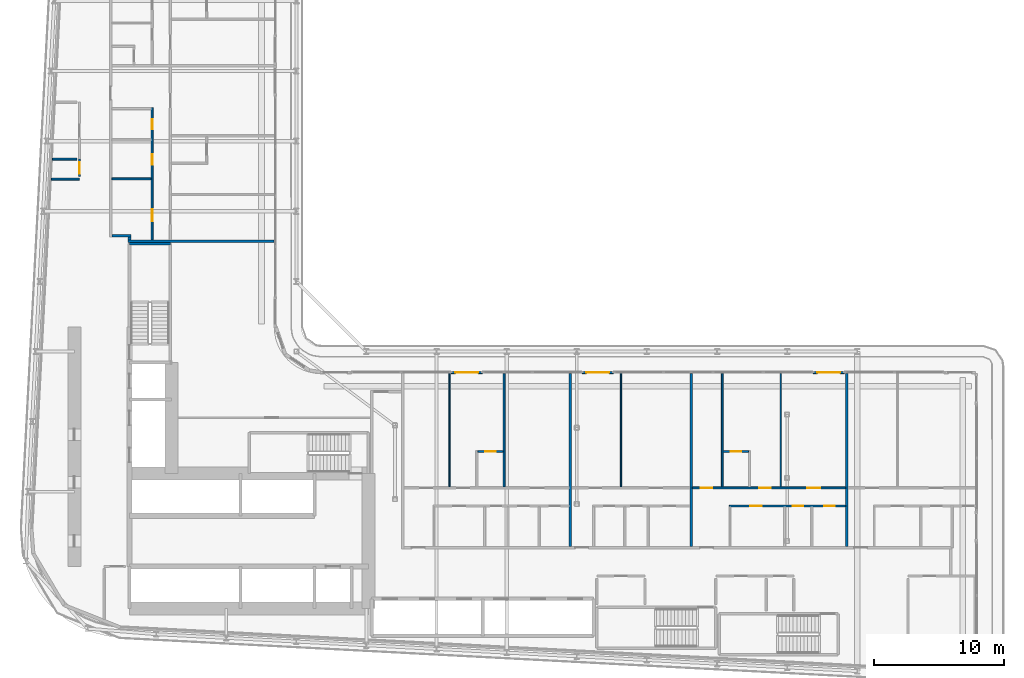
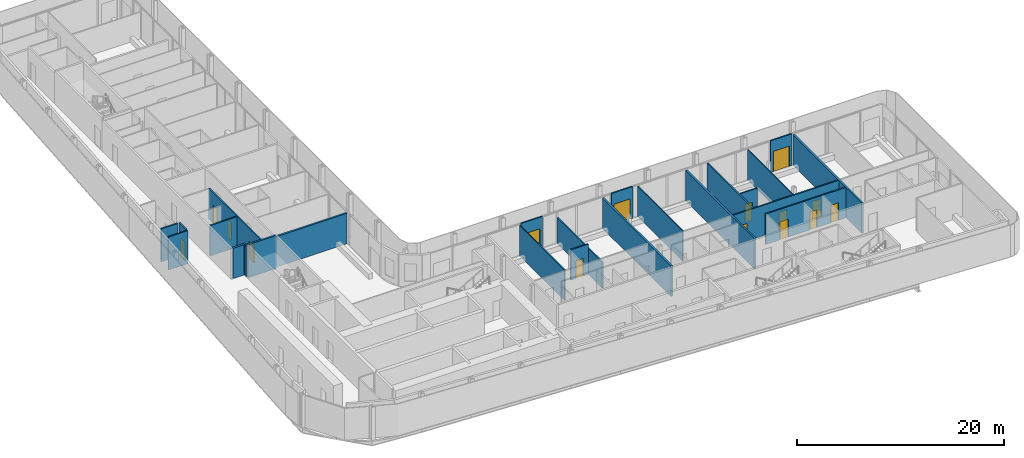
# One storey, part 15 of 27: 24 walls, 15 doors, 15 openings.
"""IFC4 building model written with IfcOpenShell, lengths in metres."""

from ifc_helpers import new_model, si_unit, direction, frame, frame_2d, origin, place, context, subcontext, project, spatial, rectangle, extrude, source, transform, mapped, material, layer, layer_set, type_object, element, fill, save


model = new_model("IFC4")

# Units and contexts
model_context = context("Model", 3, precision=1e-05, world=origin(), true_north=direction((0.0, 1.0)))
body_context = subcontext(model_context, "Body", "Model", "MODEL_VIEW")
ifc_project = project(units=[si_unit("LENGTHUNIT", "METRE"), si_unit("AREAUNIT", "SQUARE_METRE"), si_unit("VOLUMEUNIT", "CUBIC_METRE"), si_unit("PLANEANGLEUNIT", "RADIAN"), si_unit("MASSUNIT", "GRAM", prefix="KILO")], contexts=[model_context])

# Site, building, storey
site_placement = place(None, origin())
site = spatial("IfcSite", under=ifc_project, at=site_placement, CompositionType="ELEMENT")
building_placement = place(site_placement, origin())
building = spatial("IfcBuilding", under=site, at=building_placement, Name="Kheshtan School and Residences Tower", CompositionType="ELEMENT")
storey_placement = place(building_placement, frame((0.0, 0.0, 53.89990234375)))
storey = spatial("IfcBuildingStorey", under=building, at=storey_placement, Name="L12", CompositionType="ELEMENT", Elevation=53.89990234375)

# Walls
ifc_material_1 = material(Name="Gypsum board on steel studs with fire boards", Category="steel")
ifc_layer_1 = layer(ifc_material_1, 0.199951171875)
ifc_layer_set_1 = layer_set([ifc_layer_1], Name="Corridor wall 200")
wall_type_1 = type_object("IfcWallType", Name="Corridor wall 200", PredefinedType="PARTITIONING", material=ifc_layer_set_1)
wall_1_placement = place(storey_placement, frame((33.39990234375, 54.5, 0.0), z_axis=(0.0, 0.0, 1.0), x_axis=(1.0, 0.0, 0.0)))
element("IfcWall", 1, at=wall_1_placement, inside=storey, type_object=wall_type_1, Name="Partition L12-005", PredefinedType="PARTITIONING", context=body_context, shape_type="SweptSolid", body=[
    extrude(rectangle(XDim=1.4501953125, YDim=0.199951171875, at=frame_2d((0.72509765625, 0.0))), origin(), (0.0, 0.0, 1.0), 3.60009765625),
])
wall_2_placement = place(storey_placement, frame((34.75, 54.199951171875, 0.0), z_axis=(0.0, 0.0, 1.0), x_axis=(0.0, 1.0, 0.0)))
element("IfcWall", 2, at=wall_2_placement, inside=storey, type_object=wall_type_1, Name="Partition L12-019", PredefinedType="PARTITIONING", context=body_context, shape_type="SweptSolid", body=[
    extrude(rectangle(XDim=0.199951171875, YDim=0.199951171875, at=frame_2d((0.10009765625, 0.0))), origin(), (0.0, 0.0, 1.0), 3.60009765625),
])

# Wall, opening, door
ifc_material_2 = material(Name="Aluminium frame wall with insulated infill", Category="aluminium")
ifc_layer_2 = layer(ifc_material_2, 0.14990234375)
ifc_layer_set_2 = layer_set([ifc_layer_2], Name="Glazing frame wall 150")
wall_type_2 = type_object("IfcWallType", Name="Glazing frame wall 150", PredefinedType="SOLIDWALL", material=ifc_layer_set_2)
wall_3_placement = place(storey_placement, frame((59.52392578125, 43.97509765625, 0.0), z_axis=(0.0, 0.0, 1.0), x_axis=(1.0, 0.0, 0.0)))
wall_3 = element("IfcWall", 3, at=wall_3_placement, inside=storey, type_object=wall_type_2, Name="Balcony door wall L12 12.2", PredefinedType="SOLIDWALL", context=body_context, shape_type="SweptSolid", body=[
    extrude(rectangle(XDim=2.400146484375, YDim=0.14990234375, at=frame_2d((1.2001953125, 0.0))), origin(), (0.0, 0.0, 1.0), 3.75),
])
opening_1_placement = place(wall_3_placement, frame((0.300048828125, 0.0, 0.0)))
opening_1 = element("IfcOpeningElement", 4, at=opening_1_placement, cuts=wall_3, Name="Opening BD", PredefinedType="OPENING", context=body_context, shape_type="SweptSolid", body=[
    extrude(rectangle(XDim=1.800048828125, YDim=2.39990234375, at=frame_2d((0.89990234375, 1.199951171875))), frame((0.0, 0.0849609375, 0.0), z_axis=(0.0, -1.0, 0.0), x_axis=(1.0, 0.0, 0.0)), (0.0, 0.0, 1.0), 0.169921875),
])
ifc_material_3 = material(Name="Clear low-e glass in thermally broken aluminium frame", Category="aluminium")
door_type_1 = type_object("IfcDoorType", Name="Balcony sliding door", OperationType="SLIDING_TO_LEFT", PredefinedType="DOOR", material=ifc_material_3)
shared_shape_1 = source(origin(), body_context, "Body", "SweptSolid", [
    extrude(rectangle(XDim=1.800048828125, YDim=2.39990234375, at=frame_2d((0.89990234375, 1.199951171875))), frame((0.0, 0.02490234375, 0.0), z_axis=(0.0, -1.0, 0.0), x_axis=(1.0, 0.0, 0.0)), (0.0, 0.0, 1.0), 0.050048828125),
])
door_1_placement = place(opening_1_placement, origin())
door_1 = element("IfcDoor", 5, at=door_1_placement, inside=storey, type_object=door_type_1, Name="Balcony door L12 12.2", OperationType="SLIDING_TO_LEFT", OverallHeight=2.39990234375, OverallWidth=1.800048828125, PredefinedType="DOOR", context=body_context, shape_type="MappedRepresentation", body=[
    mapped(shared_shape_1, transform((0.0, 0.0, 0.0), x_axis=(1.0, 0.0, 0.0), y_axis=(0.0, 1.0, 0.0), z_axis=(0.0, 0.0, 1.0), scale=1.0)),
])
fill(opening_1, door_1)

wall_4_placement = place(storey_placement, frame((69.617919921875, 43.97509765625, 0.0), z_axis=(0.0, 0.0, 1.0), x_axis=(1.0, 0.0, 0.0)))
wall_4 = element("IfcWall", 6, at=wall_4_placement, inside=storey, type_object=wall_type_2, Name="Balcony door wall L12 12.3", PredefinedType="SOLIDWALL", context=body_context, shape_type="SweptSolid", body=[
    extrude(rectangle(XDim=2.400146484375, YDim=0.14990234375, at=frame_2d((1.2001953125, 0.0))), origin(), (0.0, 0.0, 1.0), 3.75),
])
opening_2_placement = place(wall_4_placement, frame((0.300048828125, 0.0, 0.0)))
opening_2 = element("IfcOpeningElement", 7, at=opening_2_placement, cuts=wall_4, Name="Opening BD", PredefinedType="OPENING", context=body_context, shape_type="SweptSolid", body=[
    extrude(rectangle(XDim=1.800048828125, YDim=2.39990234375, at=frame_2d((0.89990234375, 1.199951171875))), frame((0.0, 0.0849609375, 0.0), z_axis=(0.0, -1.0, 0.0), x_axis=(1.0, 0.0, 0.0)), (0.0, 0.0, 1.0), 0.169921875),
])
door_2_placement = place(opening_2_placement, origin())
door_2 = element("IfcDoor", 8, at=door_2_placement, inside=storey, type_object=door_type_1, Name="Balcony door L12 12.3", OperationType="SLIDING_TO_LEFT", OverallHeight=2.39990234375, OverallWidth=1.800048828125, PredefinedType="DOOR", context=body_context, shape_type="MappedRepresentation", body=[
    mapped(shared_shape_1, transform((0.0, 0.0, 0.0), x_axis=(1.0, 0.0, 0.0), y_axis=(0.0, 1.0, 0.0), z_axis=(0.0, 0.0, 1.0), scale=1.0)),
])
fill(opening_2, door_2)

wall_5_placement = place(storey_placement, frame((87.406005859375, 43.97509765625, 0.0), z_axis=(0.0, 0.0, 1.0), x_axis=(1.0, 0.0, 0.0)))
wall_5 = element("IfcWall", 9, at=wall_5_placement, inside=storey, type_object=wall_type_2, Name="Balcony door wall L12 12.4", PredefinedType="SOLIDWALL", context=body_context, shape_type="SweptSolid", body=[
    extrude(rectangle(XDim=2.39990234375, YDim=0.14990234375, at=frame_2d((1.199951171875, 0.0))), origin(), (0.0, 0.0, 1.0), 3.75),
])
opening_3_placement = place(wall_5_placement, frame((0.300048828125, 0.0, 0.0)))
opening_3 = element("IfcOpeningElement", 10, at=opening_3_placement, cuts=wall_5, Name="Opening BD", PredefinedType="OPENING", context=body_context, shape_type="SweptSolid", body=[
    extrude(rectangle(XDim=1.800048828125, YDim=2.39990234375, at=frame_2d((0.89990234375, 1.199951171875))), frame((0.0, 0.0849609375, 0.0), z_axis=(0.0, -1.0, 0.0), x_axis=(1.0, 0.0, 0.0)), (0.0, 0.0, 1.0), 0.169921875),
])
door_3_placement = place(opening_3_placement, origin())
door_3 = element("IfcDoor", 11, at=door_3_placement, inside=storey, type_object=door_type_1, Name="Balcony door L12 12.4", OperationType="SLIDING_TO_LEFT", OverallHeight=2.39990234375, OverallWidth=1.800048828125, PredefinedType="DOOR", context=body_context, shape_type="MappedRepresentation", body=[
    mapped(shared_shape_1, transform((0.0, 0.0, 0.0), x_axis=(1.0, 0.0, 0.0), y_axis=(0.0, 1.0, 0.0), z_axis=(0.0, 0.0, 1.0), scale=1.0)),
])
fill(opening_3, door_3)

# Walls
ifc_material_4 = material(Name="Gypsum board on steel studs", Category="steel")
ifc_layer_3 = layer(ifc_material_4, 0.10009765625)
ifc_layer_set_3 = layer_set([ifc_layer_3], Name="Gypsum partition 100")
wall_type_3 = type_object("IfcWallType", Name="Gypsum partition 100", PredefinedType="PARTITIONING", material=ifc_layer_set_3)
for number, where, z_axis, x_axis, name in (
    (12, (59.39990234375, 35.175048828125, 0.0), (0.0, 0.0, 1.0), (0.0, 1.0, 0.0), "Partition L12-050"),
    (13, (72.60009765625, 35.175048828125, 0.0), (0.0, 0.0, 1.0), (0.0, 1.0, 0.0), "Partition L12-061"),
    (14, (84.89990234375, 35.175048828125, 0.0), (0.0, 0.0, 1.0), (0.0, 1.0, 0.0), "Partition L12-071"),
):
    element("IfcWall", number, at=place(storey_placement, frame(where, z_axis=z_axis, x_axis=x_axis)), inside=storey, type_object=wall_type_3, Name=name, PredefinedType="PARTITIONING", context=body_context, shape_type="SweptSolid", body=[
        extrude(rectangle(XDim=8.724853515625, YDim=0.10009765625, at=frame_2d((4.3623046875, 0.0))), origin(), (0.0, 0.0, 1.0), 3.60009765625),
    ])
ifc_material_5 = material(Name="Fire-board shaft wall system")
ifc_layer_4 = layer(ifc_material_5, 0.14990234375)
ifc_layer_set_4 = layer_set([ifc_layer_4], Name="Service room wall 150")
wall_type_4 = type_object("IfcWallType", Name="Service room wall 150", PredefinedType="PARTITIONING", material=ifc_layer_set_4)
wall_6_placement = place(storey_placement, frame((28.738037109375, 58.8720703125, 0.0), z_axis=(0.0, 0.0, 1.0), x_axis=(1.0, 0.0, 0.0)))
element("IfcWall", 15, at=wall_6_placement, inside=storey, type_object=wall_type_4, Name="Service room wall", PredefinedType="PARTITIONING", context=body_context, shape_type="SweptSolid", body=[
    extrude(rectangle(XDim=2.161865234375, YDim=0.14990234375, at=frame_2d((1.0810546875, 0.0))), origin(), (0.0, 0.0, 1.0), 3.900146484375),
])

# Wall, opening, door
wall_7_placement = place(storey_placement, frame((30.89990234375, 59.06689453125, 0.0), z_axis=(0.0, 0.0, 1.0), x_axis=(0.0, 1.0, 0.0)))
wall_7 = element("IfcWall", 16, at=wall_7_placement, inside=storey, type_object=wall_type_4, Name="Service room wall", PredefinedType="PARTITIONING", context=body_context, shape_type="SweptSolid", body=[
    extrude(rectangle(XDim=1.34716796875, YDim=0.14990234375, at=frame_2d((0.673583984375, 0.0))), origin(), (0.0, 0.0, 1.0), 3.900146484375),
])
opening_4_placement = place(wall_7_placement, frame((0.22607421875, 0.0, 0.0)))
opening_4 = element("IfcOpeningElement", 17, at=opening_4_placement, cuts=wall_7, Name="Opening SR90", PredefinedType="OPENING", context=body_context, shape_type="SweptSolid", body=[
    extrude(rectangle(XDim=0.89990234375, YDim=2.199951171875, at=frame_2d((0.449951171875, 1.10009765625))), frame((0.0, 0.0849609375, 0.0), z_axis=(0.0, -1.0, 0.0), x_axis=(1.0, 0.0, 0.0)), (0.0, 0.0, 1.0), 0.169921875),
])
ifc_material_6 = material(Name="Steel door leaf, galvanised", Category="steel")
door_type_2 = type_object("IfcDoorType", Name="Service room door 900 steel 90 min", OperationType="SINGLE_SWING_LEFT", PredefinedType="DOOR", material=ifc_material_6)
shared_shape_2 = source(origin(), body_context, "Body", "SweptSolid", [
    extrude(rectangle(XDim=0.89990234375, YDim=2.199951171875, at=frame_2d((0.449951171875, 1.10009765625))), frame((0.0, 0.02490234375, 0.0), z_axis=(0.0, -1.0, 0.0), x_axis=(1.0, 0.0, 0.0)), (0.0, 0.0, 1.0), 0.050048828125),
])
door_4_placement = place(opening_4_placement, origin())
door_4 = element("IfcDoor", 18, at=door_4_placement, inside=storey, type_object=door_type_2, Name="Service room door", OperationType="SINGLE_SWING_LEFT", OverallHeight=2.199951171875, OverallWidth=0.89990234375, PredefinedType="DOOR", context=body_context, shape_type="MappedRepresentation", body=[
    mapped(shared_shape_2, transform((0.0, 0.0, 0.0), x_axis=(1.0, 0.0, 0.0), y_axis=(0.0, 1.0, 0.0), z_axis=(0.0, 0.0, 1.0), scale=1.0)),
])
fill(opening_4, door_4)

# Walls
wall_8_placement = place(storey_placement, frame((28.820068359375, 60.4140625, 0.0), z_axis=(0.0, 0.0, 1.0), x_axis=(1.0, 0.0, 0.0)))
element("IfcWall", 19, at=wall_8_placement, inside=storey, type_object=wall_type_4, Name="Service room wall", PredefinedType="PARTITIONING", context=body_context, shape_type="SweptSolid", body=[
    extrude(rectangle(XDim=1.885009765625, YDim=0.14990234375, at=frame_2d((0.9423828125, 0.0))), origin(), (0.0, 0.0, 1.0), 3.900146484375),
])
ifc_material_7 = material(Name="Concrete C40/50", Category="concrete")
ifc_layer_5 = layer(ifc_material_7, 0.199951171875)
ifc_layer_set_5 = layer_set([ifc_layer_5], Name="Stair enclosure wall 200 Concrete C40/50")
wall_type_5 = type_object("IfcWallType", Name="Stair enclosure wall 200 Concrete C40/50", PredefinedType="SHEAR", material=ifc_layer_set_5)
wall_9_placement = place(storey_placement, frame((34.75, 53.909912109375, 0.0), z_axis=(0.0, 0.0, 1.0), x_axis=(1.0, 0.0, 0.0)))
element("IfcWall", 20, at=wall_9_placement, inside=storey, type_object=wall_type_5, Name="Stair enclosure wall ST2", PredefinedType="SHEAR", context=body_context, shape_type="SweptSolid", body=[
    extrude(rectangle(XDim=3.14990234375, YDim=0.199951171875, at=frame_2d((1.574951171875, 0.0))), origin(), (0.0, 0.0, 1.0), 3.900146484375),
])
ifc_material_8 = material(Name="Twin gypsum board on steel studs with mineral wool", Category="steel")
ifc_layer_6 = layer(ifc_material_8, 0.199951171875)
ifc_layer_set_6 = layer_set([ifc_layer_6], Name="Unit demising wall 200")
wall_type_6 = type_object("IfcWallType", Name="Unit demising wall 200", PredefinedType="PARTITIONING", material=ifc_layer_set_6)
wall_10_placement = place(storey_placement, frame((34.64990234375, 54.10009765625, 0.0), z_axis=(0.0, 0.0, 1.0), x_axis=(1.0, 0.0, 0.0)))
element("IfcWall", 21, at=wall_10_placement, inside=storey, type_object=wall_type_6, Name="Partition L12-018", PredefinedType="PARTITIONING", context=body_context, shape_type="SweptSolid", body=[
    extrude(rectangle(XDim=11.25, YDim=0.199951171875, at=frame_2d((5.625, 0.0))), origin(), (0.0, 0.0, 1.0), 3.60009765625),
])
for number, where, z_axis, x_axis, name in (
    (22, (68.699951171875, 30.60009765625, 0.0), (0.0, 0.0, 1.0), (0.0, 1.0, 0.0), "Partition L12-057"),
    (23, (78.0, 30.60009765625, 0.0), (0.0, 0.0, 1.0), (0.0, 1.0, 0.0), "Partition L12-064"),
    (24, (90.0, 30.60009765625, 0.0), (0.0, 0.0, 1.0), (0.0, 1.0, 0.0), "Partition L12-074"),
):
    element("IfcWall", number, at=place(storey_placement, frame(where, z_axis=z_axis, x_axis=x_axis)), inside=storey, type_object=wall_type_6, Name=name, PredefinedType="PARTITIONING", context=body_context, shape_type="SweptSolid", body=[
        extrude(rectangle(XDim=13.2998046875, YDim=0.199951171875, at=frame_2d((6.64990234375, 0.0))), origin(), (0.0, 0.0, 1.0), 3.60009765625),
    ])
ifc_material_9 = material(Name="Moisture-resistant gypsum board on steel studs", Category="steel")
ifc_layer_7 = layer(ifc_material_9, 0.14990234375)
ifc_layer_set_7 = layer_set([ifc_layer_7], Name="Wet-room partition 150")
wall_type_7 = type_object("IfcWallType", Name="Wet-room partition 150", PredefinedType="PARTITIONING", material=ifc_layer_set_7)
wall_11_placement = place(storey_placement, frame((33.39990234375, 58.89990234375, 0.0), z_axis=(0.0, 0.0, 1.0), x_axis=(1.0, 0.0, 0.0)))
element("IfcWall", 25, at=wall_11_placement, inside=storey, type_object=wall_type_7, Name="Partition L12-006", PredefinedType="PARTITIONING", context=body_context, shape_type="SweptSolid", body=[
    extrude(rectangle(XDim=3.025146484375, YDim=0.14990234375, at=frame_2d((1.5126953125, 0.0))), origin(), (0.0, 0.0, 1.0), 3.60009765625),
])

# Wall, openings, doors
wall_12_placement = place(storey_placement, frame((36.5, 54.199951171875, 0.0), z_axis=(0.0, 0.0, 1.0), x_axis=(0.0, 1.0, 0.0)))
wall_12 = element("IfcWall", 26, at=wall_12_placement, inside=storey, type_object=wall_type_7, Name="Partition L12-022", PredefinedType="PARTITIONING", context=body_context, shape_type="SweptSolid", body=[
    extrude(rectangle(XDim=10.175048828125, YDim=0.14990234375, at=frame_2d((5.08740234375, 0.0))), origin(), (0.0, 0.0, 1.0), 3.60009765625),
])
opening_5_placement = place(wall_12_placement, frame((5.800048828125, 0.0, 0.0)))
opening_5 = element("IfcOpeningElement", 27, at=opening_5_placement, cuts=wall_12, Name="Opening D12-030", PredefinedType="OPENING", context=body_context, shape_type="SweptSolid", body=[
    extrude(rectangle(XDim=0.800048828125, YDim=2.10009765625, at=frame_2d((0.39990234375, 1.050048828125))), frame((0.0, 0.0849609375, 0.0), z_axis=(0.0, -1.0, 0.0), x_axis=(1.0, 0.0, 0.0)), (0.0, 0.0, 1.0), 0.169921875),
])
opening_6_placement = place(wall_12_placement, frame((1.449951171875, 0.0, 0.0)))
opening_6 = element("IfcOpeningElement", 28, at=opening_6_placement, cuts=wall_12, Name="Opening D12-034", PredefinedType="OPENING", context=body_context, shape_type="SweptSolid", body=[
    extrude(rectangle(XDim=0.89990234375, YDim=2.10009765625, at=frame_2d((0.449951171875, 1.050048828125))), frame((0.0, 0.0849609375, 0.0), z_axis=(0.0, -1.0, 0.0), x_axis=(1.0, 0.0, 0.0)), (0.0, 0.0, 1.0), 0.169921875),
])
opening_7_placement = place(wall_12_placement, frame((8.5, 0.0, 0.0)))
opening_7 = element("IfcOpeningElement", 29, at=opening_7_placement, cuts=wall_12, Name="Opening D12-037", PredefinedType="OPENING", context=body_context, shape_type="SweptSolid", body=[
    extrude(rectangle(XDim=0.800048828125, YDim=2.10009765625, at=frame_2d((0.39990234375, 1.050048828125))), frame((0.0, 0.0849609375, 0.0), z_axis=(0.0, -1.0, 0.0), x_axis=(1.0, 0.0, 0.0)), (0.0, 0.0, 1.0), 0.169921875),
])
ifc_material_10 = material(Name="Veneered timber door leaf", Category="wood")
door_type_3 = type_object("IfcDoorType", Name="Door 800 x 2100", OperationType="SINGLE_SWING_LEFT", PredefinedType="DOOR", material=ifc_material_10)
shared_shape_3 = source(origin(), body_context, "Body", "SweptSolid", [
    extrude(rectangle(XDim=0.800048828125, YDim=2.10009765625, at=frame_2d((0.39990234375, 1.050048828125))), frame((0.0, 0.02490234375, 0.0), z_axis=(0.0, -1.0, 0.0), x_axis=(1.0, 0.0, 0.0)), (0.0, 0.0, 1.0), 0.050048828125),
])
door_5_placement = place(opening_5_placement, origin())
door_5 = element("IfcDoor", 30, at=door_5_placement, inside=storey, type_object=door_type_3, Name="Door D12-030", OperationType="SINGLE_SWING_RIGHT", OverallHeight=2.10009765625, OverallWidth=0.800048828125, PredefinedType="DOOR", context=body_context, shape_type="MappedRepresentation", body=[
    mapped(shared_shape_3, transform((0.0, 0.0, 0.0), x_axis=(1.0, 0.0, 0.0), y_axis=(0.0, 1.0, 0.0), z_axis=(0.0, 0.0, 1.0), scale=1.0)),
])
fill(opening_5, door_5)
door_6_placement = place(opening_7_placement, origin())
door_6 = element("IfcDoor", 31, at=door_6_placement, inside=storey, type_object=door_type_3, Name="Door D12-037", OperationType="SINGLE_SWING_LEFT", OverallHeight=2.10009765625, OverallWidth=0.800048828125, PredefinedType="DOOR", context=body_context, shape_type="MappedRepresentation", body=[
    mapped(shared_shape_3, transform((0.0, 0.0, 0.0), x_axis=(1.0, 0.0, 0.0), y_axis=(0.0, 1.0, 0.0), z_axis=(0.0, 0.0, 1.0), scale=1.0)),
])
fill(opening_7, door_6)
door_type_4 = type_object("IfcDoorType", Name="Door 900 x 2100", OperationType="SINGLE_SWING_LEFT", PredefinedType="DOOR", material=ifc_material_10)
shared_shape_4 = source(origin(), body_context, "Body", "SweptSolid", [
    extrude(rectangle(XDim=0.89990234375, YDim=2.10009765625, at=frame_2d((0.449951171875, 1.050048828125))), frame((0.0, 0.02490234375, 0.0), z_axis=(0.0, -1.0, 0.0), x_axis=(1.0, 0.0, 0.0)), (0.0, 0.0, 1.0), 0.050048828125),
])
door_7_placement = place(opening_6_placement, origin())
door_7 = element("IfcDoor", 32, at=door_7_placement, inside=storey, type_object=door_type_4, Name="Door D12-034", OperationType="SINGLE_SWING_RIGHT", OverallHeight=2.10009765625, OverallWidth=0.89990234375, PredefinedType="DOOR", context=body_context, shape_type="MappedRepresentation", body=[
    mapped(shared_shape_4, transform((0.0, 0.0, 0.0), x_axis=(1.0, 0.0, 0.0), y_axis=(0.0, 1.0, 0.0), z_axis=(0.0, 0.0, 1.0), scale=1.0)),
])
fill(opening_6, door_7)

# Wall, opening, door
wall_13_placement = place(storey_placement, frame((61.574951171875, 37.89990234375, 0.0), z_axis=(0.0, 0.0, 1.0), x_axis=(1.0, 0.0, 0.0)))
wall_13 = element("IfcWall", 33, at=wall_13_placement, inside=storey, type_object=wall_type_7, Name="Partition L12-052", PredefinedType="PARTITIONING", context=body_context, shape_type="SweptSolid", body=[
    extrude(rectangle(XDim=1.949951171875, YDim=0.14990234375, at=frame_2d((0.97509765625, 0.0))), origin(), (0.0, 0.0, 1.0), 3.60009765625),
])
opening_8_placement = place(wall_13_placement, frame((0.574951171875, 0.0, 0.0)))
opening_8 = element("IfcOpeningElement", 34, at=opening_8_placement, cuts=wall_13, Name="Opening D12-004", PredefinedType="OPENING", context=body_context, shape_type="SweptSolid", body=[
    extrude(rectangle(XDim=0.800048828125, YDim=2.10009765625, at=frame_2d((0.39990234375, 1.050048828125))), frame((0.0, 0.0849609375, 0.0), z_axis=(0.0, -1.0, 0.0), x_axis=(1.0, 0.0, 0.0)), (0.0, 0.0, 1.0), 0.169921875),
])
door_8_placement = place(opening_8_placement, origin())
door_8 = element("IfcDoor", 35, at=door_8_placement, inside=storey, type_object=door_type_3, Name="Door D12-004", OperationType="SINGLE_SWING_LEFT", OverallHeight=2.10009765625, OverallWidth=0.800048828125, PredefinedType="DOOR", context=body_context, shape_type="MappedRepresentation", body=[
    mapped(shared_shape_3, transform((0.0, 0.0, 0.0), x_axis=(1.0, 0.0, 0.0), y_axis=(0.0, 1.0, 0.0), z_axis=(0.0, 0.0, 1.0), scale=1.0)),
])
fill(opening_8, door_8)

# Wall
wall_14_placement = place(storey_placement, frame((63.60009765625, 35.175048828125, 0.0), z_axis=(0.0, 0.0, 1.0), x_axis=(0.0, 1.0, 0.0)))
element("IfcWall", 36, at=wall_14_placement, inside=storey, type_object=wall_type_7, Name="Partition L12-054", PredefinedType="PARTITIONING", context=body_context, shape_type="SweptSolid", body=[
    extrude(rectangle(XDim=8.724853515625, YDim=0.14990234375, at=frame_2d((4.3623046875, 0.0))), origin(), (0.0, 0.0, 1.0), 3.072021484375),
])

# Wall, openings, doors
wall_15_placement = place(storey_placement, frame((78.10009765625, 35.10009765625, 0.0), z_axis=(0.0, 0.0, 1.0), x_axis=(1.0, 0.0, 0.0)))
wall_15 = element("IfcWall", 37, at=wall_15_placement, inside=storey, type_object=wall_type_7, Name="Partition L12-065", PredefinedType="PARTITIONING", context=body_context, shape_type="SweptSolid", body=[
    extrude(rectangle(XDim=11.7998046875, YDim=0.14990234375, at=frame_2d((5.89990234375, 0.0))), origin(), (0.0, 0.0, 1.0), 3.60009765625),
])
opening_9_placement = place(wall_15_placement, frame((0.64990234375, 0.0, 0.0)))
opening_9 = element("IfcOpeningElement", 38, at=opening_9_placement, cuts=wall_15, Name="Opening D12-017", PredefinedType="OPENING", context=body_context, shape_type="SweptSolid", body=[
    extrude(rectangle(XDim=0.89990234375, YDim=2.10009765625, at=frame_2d((0.449951171875, 1.050048828125))), frame((0.0, 0.0849609375, 0.0), z_axis=(0.0, -1.0, 0.0), x_axis=(1.0, 0.0, 0.0)), (0.0, 0.0, 1.0), 0.169921875),
])
opening_10_placement = place(wall_15_placement, frame((8.85009765625, 0.0, 0.0)))
opening_10 = element("IfcOpeningElement", 39, at=opening_10_placement, cuts=wall_15, Name="Opening D12-021", PredefinedType="OPENING", context=body_context, shape_type="SweptSolid", body=[
    extrude(rectangle(XDim=1.0, YDim=2.10009765625, at=frame_2d((0.5, 1.050048828125))), frame((0.0, 0.0849609375, 0.0), z_axis=(0.0, -1.0, 0.0), x_axis=(1.0, 0.0, 0.0)), (0.0, 0.0, 1.0), 0.169921875),
])
opening_11_placement = place(wall_15_placement, frame((5.14990234375, 0.0, 0.0)))
opening_11 = element("IfcOpeningElement", 40, at=opening_11_placement, cuts=wall_15, Name="Opening D12-022", PredefinedType="OPENING", context=body_context, shape_type="SweptSolid", body=[
    extrude(rectangle(XDim=0.89990234375, YDim=2.10009765625, at=frame_2d((0.449951171875, 1.050048828125))), frame((0.0, 0.0849609375, 0.0), z_axis=(0.0, -1.0, 0.0), x_axis=(1.0, 0.0, 0.0)), (0.0, 0.0, 1.0), 0.169921875),
])
door_type_5 = type_object("IfcDoorType", Name="Door 1000 x 2100", OperationType="SINGLE_SWING_LEFT", PredefinedType="DOOR", material=ifc_material_10)
shared_shape_5 = source(origin(), body_context, "Body", "SweptSolid", [
    extrude(rectangle(XDim=1.0, YDim=2.10009765625, at=frame_2d((0.5, 1.050048828125))), frame((0.0, 0.02490234375, 0.0), z_axis=(0.0, -1.0, 0.0), x_axis=(1.0, 0.0, 0.0)), (0.0, 0.0, 1.0), 0.050048828125),
])
door_9_placement = place(opening_10_placement, origin())
door_9 = element("IfcDoor", 41, at=door_9_placement, inside=storey, type_object=door_type_5, Name="Door D12-021", OperationType="SINGLE_SWING_LEFT", OverallHeight=2.10009765625, OverallWidth=1.0, PredefinedType="DOOR", context=body_context, shape_type="MappedRepresentation", body=[
    mapped(shared_shape_5, transform((0.0, 0.0, 0.0), x_axis=(1.0, 0.0, 0.0), y_axis=(0.0, 1.0, 0.0), z_axis=(0.0, 0.0, 1.0), scale=1.0)),
])
fill(opening_10, door_9)
door_10_placement = place(opening_9_placement, origin())
door_10 = element("IfcDoor", 42, at=door_10_placement, inside=storey, type_object=door_type_4, Name="Door D12-017", OperationType="SINGLE_SWING_RIGHT", OverallHeight=2.10009765625, OverallWidth=0.89990234375, PredefinedType="DOOR", context=body_context, shape_type="MappedRepresentation", body=[
    mapped(shared_shape_4, transform((0.0, 0.0, 0.0), x_axis=(1.0, 0.0, 0.0), y_axis=(0.0, 1.0, 0.0), z_axis=(0.0, 0.0, 1.0), scale=1.0)),
])
fill(opening_9, door_10)
door_11_placement = place(opening_11_placement, origin())
door_11 = element("IfcDoor", 43, at=door_11_placement, inside=storey, type_object=door_type_4, Name="Door D12-022", OperationType="SINGLE_SWING_LEFT", OverallHeight=2.10009765625, OverallWidth=0.89990234375, PredefinedType="DOOR", context=body_context, shape_type="MappedRepresentation", body=[
    mapped(shared_shape_4, transform((0.0, 0.0, 0.0), x_axis=(1.0, 0.0, 0.0), y_axis=(0.0, 1.0, 0.0), z_axis=(0.0, 0.0, 1.0), scale=1.0)),
])
fill(opening_11, door_11)

# Wall
wall_16_placement = place(storey_placement, frame((80.39990234375, 35.175048828125, 0.0), z_axis=(0.0, 0.0, 1.0), x_axis=(0.0, 1.0, 0.0)))
element("IfcWall", 44, at=wall_16_placement, inside=storey, type_object=wall_type_7, Name="Partition L12-066", PredefinedType="PARTITIONING", context=body_context, shape_type="SweptSolid", body=[
    extrude(rectangle(XDim=8.724853515625, YDim=0.14990234375, at=frame_2d((4.3623046875, 0.0))), origin(), (0.0, 0.0, 1.0), 3.60009765625),
])

# Wall, opening, door
wall_17_placement = place(storey_placement, frame((80.47509765625, 37.89990234375, 0.0), z_axis=(0.0, 0.0, 1.0), x_axis=(1.0, 0.0, 0.0)))
wall_17 = element("IfcWall", 45, at=wall_17_placement, inside=storey, type_object=wall_type_7, Name="Partition L12-067", PredefinedType="PARTITIONING", context=body_context, shape_type="SweptSolid", body=[
    extrude(rectangle(XDim=1.949951171875, YDim=0.14990234375, at=frame_2d((0.97509765625, 0.0))), origin(), (0.0, 0.0, 1.0), 3.60009765625),
])
opening_12_placement = place(wall_17_placement, frame((0.574951171875, 0.0, 0.0)))
opening_12 = element("IfcOpeningElement", 46, at=opening_12_placement, cuts=wall_17, Name="Opening D12-018", PredefinedType="OPENING", context=body_context, shape_type="SweptSolid", body=[
    extrude(rectangle(XDim=0.800048828125, YDim=2.10009765625, at=frame_2d((0.39990234375, 1.050048828125))), frame((0.0, 0.0849609375, 0.0), z_axis=(0.0, -1.0, 0.0), x_axis=(1.0, 0.0, 0.0)), (0.0, 0.0, 1.0), 0.169921875),
])
door_12_placement = place(opening_12_placement, origin())
door_12 = element("IfcDoor", 47, at=door_12_placement, inside=storey, type_object=door_type_3, Name="Door D12-018", OperationType="SINGLE_SWING_LEFT", OverallHeight=2.10009765625, OverallWidth=0.800048828125, PredefinedType="DOOR", context=body_context, shape_type="MappedRepresentation", body=[
    mapped(shared_shape_3, transform((0.0, 0.0, 0.0), x_axis=(1.0, 0.0, 0.0), y_axis=(0.0, 1.0, 0.0), z_axis=(0.0, 0.0, 1.0), scale=1.0)),
])
fill(opening_12, door_12)

# Wall, openings, doors
wall_18_placement = place(storey_placement, frame((80.949951171875, 33.699951171875, 0.0), z_axis=(0.0, 0.0, 1.0), x_axis=(1.0, 0.0, 0.0)))
wall_18 = element("IfcWall", 48, at=wall_18_placement, inside=storey, type_object=wall_type_7, Name="Partition L12-068", PredefinedType="PARTITIONING", context=body_context, shape_type="SweptSolid", body=[
    extrude(rectangle(XDim=8.949951171875, YDim=0.14990234375, at=frame_2d((4.47509765625, 0.0))), origin(), (0.0, 0.0, 1.0), 3.60009765625),
])
opening_13_placement = place(wall_18_placement, frame((7.300048828125, 0.0, 0.0)))
opening_13 = element("IfcOpeningElement", 49, at=opening_13_placement, cuts=wall_18, Name="Opening D12-016", PredefinedType="OPENING", context=body_context, shape_type="SweptSolid", body=[
    extrude(rectangle(XDim=0.800048828125, YDim=2.10009765625, at=frame_2d((0.39990234375, 1.050048828125))), frame((0.0, 0.0849609375, 0.0), z_axis=(0.0, -1.0, 0.0), x_axis=(1.0, 0.0, 0.0)), (0.0, 0.0, 1.0), 0.169921875),
])
opening_14_placement = place(wall_18_placement, frame((1.60009765625, 0.0, 0.0)))
opening_14 = element("IfcOpeningElement", 50, at=opening_14_placement, cuts=wall_18, Name="Opening D12-020", PredefinedType="OPENING", context=body_context, shape_type="SweptSolid", body=[
    extrude(rectangle(XDim=0.89990234375, YDim=2.10009765625, at=frame_2d((0.449951171875, 1.050048828125))), frame((0.0, 0.0849609375, 0.0), z_axis=(0.0, -1.0, 0.0), x_axis=(1.0, 0.0, 0.0)), (0.0, 0.0, 1.0), 0.169921875),
])
opening_15_placement = place(wall_18_placement, frame((4.89990234375, 0.0, 0.0)))
opening_15 = element("IfcOpeningElement", 51, at=opening_15_placement, cuts=wall_18, Name="Opening D12-023", PredefinedType="OPENING", context=body_context, shape_type="SweptSolid", body=[
    extrude(rectangle(XDim=0.800048828125, YDim=2.10009765625, at=frame_2d((0.39990234375, 1.050048828125))), frame((0.0, 0.0849609375, 0.0), z_axis=(0.0, -1.0, 0.0), x_axis=(1.0, 0.0, 0.0)), (0.0, 0.0, 1.0), 0.169921875),
])
door_13_placement = place(opening_13_placement, origin())
door_13 = element("IfcDoor", 52, at=door_13_placement, inside=storey, type_object=door_type_3, Name="Door D12-016", OperationType="SINGLE_SWING_RIGHT", OverallHeight=2.10009765625, OverallWidth=0.800048828125, PredefinedType="DOOR", context=body_context, shape_type="MappedRepresentation", body=[
    mapped(shared_shape_3, transform((0.0, 0.0, 0.0), x_axis=(1.0, 0.0, 0.0), y_axis=(0.0, 1.0, 0.0), z_axis=(0.0, 0.0, 1.0), scale=1.0)),
])
fill(opening_13, door_13)
door_14_placement = place(opening_15_placement, origin())
door_14 = element("IfcDoor", 53, at=door_14_placement, inside=storey, type_object=door_type_3, Name="Door D12-023", OperationType="SINGLE_SWING_RIGHT", OverallHeight=2.10009765625, OverallWidth=0.800048828125, PredefinedType="DOOR", context=body_context, shape_type="MappedRepresentation", body=[
    mapped(shared_shape_3, transform((0.0, 0.0, 0.0), x_axis=(1.0, 0.0, 0.0), y_axis=(0.0, 1.0, 0.0), z_axis=(0.0, 0.0, 1.0), scale=1.0)),
])
fill(opening_15, door_14)
door_15_placement = place(opening_14_placement, origin())
door_15 = element("IfcDoor", 54, at=door_15_placement, inside=storey, type_object=door_type_4, Name="Door D12-020", OperationType="SINGLE_SWING_LEFT", OverallHeight=2.10009765625, OverallWidth=0.89990234375, PredefinedType="DOOR", context=body_context, shape_type="MappedRepresentation", body=[
    mapped(shared_shape_4, transform((0.0, 0.0, 0.0), x_axis=(1.0, 0.0, 0.0), y_axis=(0.0, 1.0, 0.0), z_axis=(0.0, 0.0, 1.0), scale=1.0)),
])
fill(opening_14, door_15)

save(model, "model.ifc")
